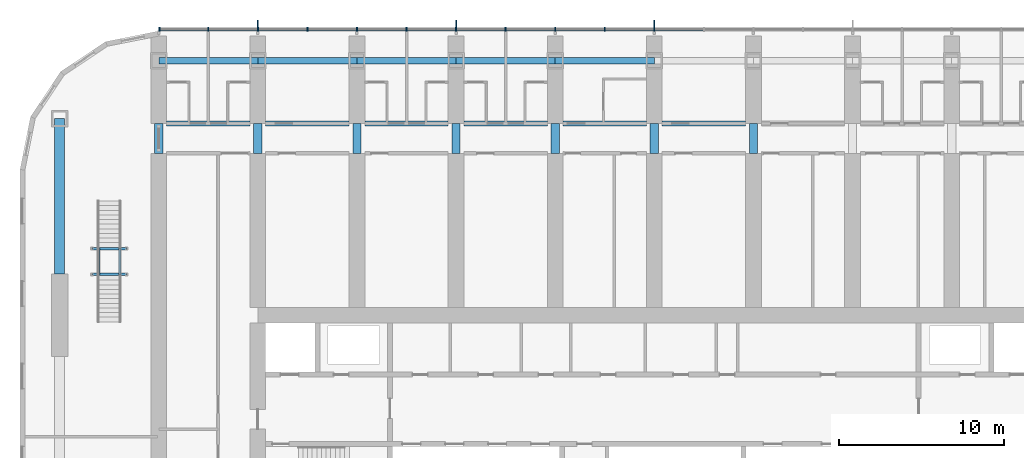
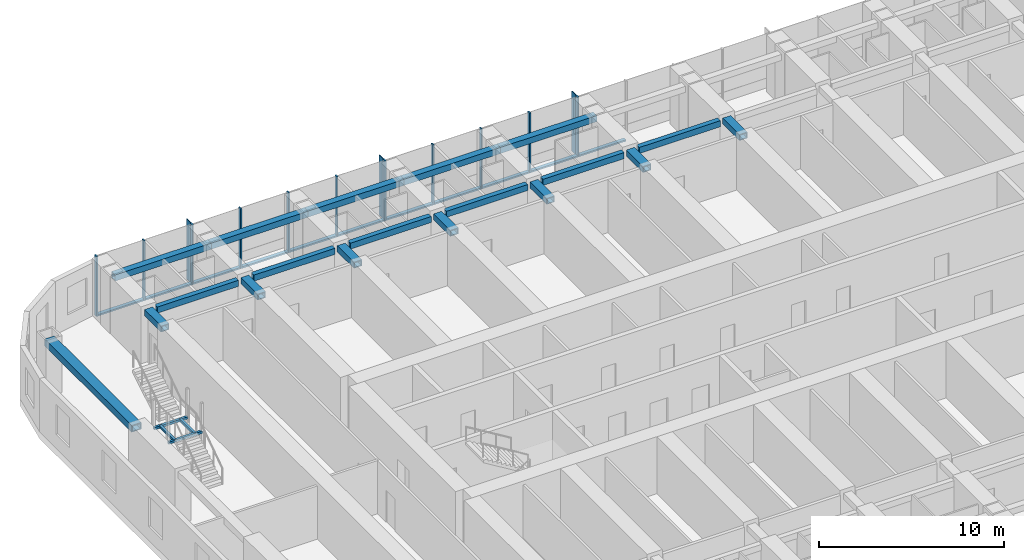
# One storey, part 6 of 25: 25 members, 23 beams, 1 element without a shape of its own.
"""IFC4 building model written with IfcOpenShell, lengths in metres."""

import ifcopenshell
import ifcopenshell.guid

model = None  # the IFC model being written
_history = None  # IfcOwnerHistory: only IFC2X3 demands one
_inside = {}  # id of a spatial element -> (the spatial element, [elements in it])
_under = {}  # id of a project, library or spatial element -> (it, [spatial elements below it])
_declared = {}  # id of a project -> (the project, [libraries it declares])
_typed = {}  # id of a type object -> (the type object, [elements of that type])
_made_of = {}  # id of a material, layer set ... -> (it, [elements and type objects made of it])


def new_model(schema):
    """Start an empty IFC model of exactly this schema.

    Asked for "IFC4X3", IfcOpenShell would pick the latest addendum, in which some entities
    have other attributes; the version numbers below select the first issue.
    IFC2X3 requires an IfcOwnerHistory on every rooted entity: one is made here for all.
    """
    global model, _history
    if schema == "IFC4X3":
        model = ifcopenshell.file(schema_version=(4, 3, 0, 0))
    else:
        model = ifcopenshell.file(schema=schema)
    _inside.clear()
    _under.clear()
    _declared.clear()
    _typed.clear()
    _made_of.clear()
    _history = None
    if model.schema == "IFC2X3":
        org = make("IfcOrganization", Name="unknown")
        user = make(
            "IfcPersonAndOrganization",
            ThePerson=make("IfcPerson", FamilyName="unknown"),
            TheOrganization=org,
        )
        app = make(
            "IfcApplication",
            ApplicationDeveloper=org,
            Version="unknown",
            ApplicationFullName="unknown",
            ApplicationIdentifier="unknown",
        )
        _history = make(
            "IfcOwnerHistory",
            OwningUser=user,
            OwningApplication=app,
            ChangeAction="ADDED",
            CreationDate=0,
        )
    return model


def make(cls, **values):
    """One entity of the class cls with the attributes given. An attribute that is None is left unset."""
    return model.create_entity(
        cls, **{name: value for name, value in values.items() if value is not None}
    )


def rooted(cls, **values):
    """An entity with a GlobalId (a new one), such as an element, a storey or a relation."""
    return make(cls, GlobalId=ifcopenshell.guid.new(), OwnerHistory=_history, **values)


def si_unit(unit_type, name, prefix=None):
    """IfcSIUnit, for example si_unit("LENGTHUNIT", "METRE", prefix="MILLI")."""
    return make("IfcSIUnit", UnitType=unit_type, Prefix=prefix, Name=name)


def assignment(units):
    """IfcUnitAssignment: the units of a project."""
    return None if units is None else make("IfcUnitAssignment", Units=units)


def point(xyz):
    """IfcCartesianPoint."""
    return None if xyz is None else make("IfcCartesianPoint", Coordinates=xyz)


def direction(xyz):
    """IfcDirection."""
    return None if xyz is None else make("IfcDirection", DirectionRatios=xyz)


def frame(location, z_axis=None, x_axis=None):
    """IfcAxis2Placement3D, a coordinate frame: its origin and axes. An axis left out is left unset."""
    return make(
        "IfcAxis2Placement3D",
        Location=point(location),
        Axis=direction(z_axis),
        RefDirection=direction(x_axis),
    )


def frame_2d(location, x_axis=None):
    """IfcAxis2Placement2D, a coordinate frame in the plane: its origin and x axis."""
    return make(
        "IfcAxis2Placement2D", Location=point(location), RefDirection=direction(x_axis)
    )


def origin():
    """The frame at (0, 0, 0) with its axes left unset."""
    return frame((0.0, 0.0, 0.0))


def origin_2d():
    """The frame at (0, 0) in the plane with its x axis left unset."""
    return frame_2d((0.0, 0.0))


def place(relative_to, where):
    """IfcLocalPlacement: puts the frame where relative to a parent placement (None: the world)."""
    return make(
        "IfcLocalPlacement", PlacementRelTo=relative_to, RelativePlacement=where
    )


def context(
    kind, dimensions, precision=None, world=None, true_north=None, identifier=None
):
    """IfcGeometricRepresentationContext, for example the 3D "Model" context."""
    return make(
        "IfcGeometricRepresentationContext",
        ContextIdentifier=identifier,
        ContextType=kind,
        CoordinateSpaceDimension=dimensions,
        Precision=precision,
        WorldCoordinateSystem=world,
        TrueNorth=true_north,
    )


def subcontext(parent, identifier, kind, view, scale=None):
    """IfcGeometricRepresentationSubContext, for example "Body" below "Model"."""
    return make(
        "IfcGeometricRepresentationSubContext",
        ContextIdentifier=identifier,
        ContextType=kind,
        ParentContext=parent,
        TargetScale=scale,
        TargetView=view,
    )


def project(units=None, contexts=None):
    """IfcProject with its units and contexts."""
    return rooted(
        "IfcProject",
        Name="project",
        RepresentationContexts=contexts,
        UnitsInContext=assignment(units),
    )


def spatial(cls, under=None, at=None, **own):
    """A site, building, storey or space (cls), placed at a placement, below another one or the project."""
    s = rooted(cls, ObjectPlacement=at, **own)
    if under is not None:
        _under.setdefault(under.id(), (under, []))[1].append(s)
    return s


def profile(cls, at=None, kind="AREA", **sizes):
    """A parametric profile (cls). Its sizes go by their IFC names, for example OverallWidth=200.0."""
    return make(cls, ProfileType=kind, Position=at, **sizes)


def rectangle(**sizes):
    """IfcRectangleProfileDef."""
    return profile("IfcRectangleProfileDef", **sizes)


def hollow_rectangle(**sizes):
    """IfcRectangleHollowProfileDef."""
    return profile("IfcRectangleHollowProfileDef", **sizes)


def extrude(swept, where, along, depth):
    """IfcExtrudedAreaSolid: the profile swept, set in the frame where, extruded along a direction by depth."""
    return make(
        "IfcExtrudedAreaSolid",
        SweptArea=swept,
        Position=where,
        ExtrudedDirection=direction(along),
        Depth=depth,
    )


def shape(context_of_items, identifier, shape_type, items):
    """IfcShapeRepresentation: the items that make up one representation, for example the "Body"."""
    return make(
        "IfcShapeRepresentation",
        ContextOfItems=context_of_items,
        RepresentationIdentifier=identifier,
        RepresentationType=shape_type,
        Items=items,
    )


def material(Name=None, Category=None):
    """IfcMaterial."""
    return make("IfcMaterial", Name=Name, Category=Category)


def material_profile(
    of_material, cross_section, Name=None, Category=None, Priority=None
):
    """IfcMaterialProfile: a cross section and its material."""
    return make(
        "IfcMaterialProfile",
        Name=Name,
        Material=of_material,
        Profile=cross_section,
        Priority=Priority,
        Category=Category,
    )


def profile_set(profiles, Name=None, composite=None):
    """IfcMaterialProfileSet."""
    return make(
        "IfcMaterialProfileSet",
        Name=Name,
        MaterialProfiles=profiles,
        CompositeProfile=composite,
    )


def made_of(thing, what):
    """Note that an element or type object is made of a material, layer set ...; save() writes the relation."""
    if what is not None:
        _made_of.setdefault(what.id(), (what, []))[1].append(thing)
    return thing


def type_object(cls, material=None, **own):
    """A type object (cls), such as IfcWallType, which elements share."""
    return made_of(rooted(cls, **own), material)


def element(
    cls,
    number,
    at=None,
    inside=None,
    cuts=None,
    type_object=None,
    material=None,
    context=None,
    identifier="Body",
    shape_type=None,
    held_by="IfcProductDefinitionShape",
    body=None,
    shapes=None,
    **own,
):
    """One element of the class cls, such as IfcWall. Its Tag is "e" and its number.

    at: its placement. inside: the storey or other place that contains it. cuts: it is an
    opening in that element (IfcRelVoidsElement). A single representation is given by context,
    identifier, shape_type and body (its items); several are given by shapes. held_by: the class
    of the entity that holds the representations. save() writes the other relations.
    """
    e = rooted(cls, Tag="e%d" % number, ObjectPlacement=at, **own)
    if body is not None:
        shapes = [shape(context, identifier, shape_type, body)]
    if shapes is not None:
        e.Representation = make(held_by, Representations=shapes)
    if inside is not None:
        _inside.setdefault(inside.id(), (inside, []))[1].append(e)
    if cuts is not None:
        rooted(
            "IfcRelVoidsElement", RelatingBuildingElement=cuts, RelatedOpeningElement=e
        )
    if type_object is not None:
        _typed.setdefault(type_object.id(), (type_object, []))[1].append(e)
    return made_of(e, material)


def aggregate(whole, parts):
    """IfcRelAggregates: a whole, such as a stair, and the parts it consists of."""
    return rooted("IfcRelAggregates", RelatingObject=whole, RelatedObjects=parts)


def save(model, path):
    """Write the relations noted so far, then the file.

    IfcRelAggregates (storeys below a building ...), IfcRelContainedInSpatialStructure (elements
    in a storey), IfcRelDefinesByType, IfcRelAssociatesMaterial and IfcRelDeclares: one each for
    every whole, place, type object, material and project.
    """
    for whole, parts in _under.values():
        aggregate(whole, parts)
    for where, things in _inside.values():
        rooted(
            "IfcRelContainedInSpatialStructure",
            RelatedElements=things,
            RelatingStructure=where,
        )
    for kind, things in _typed.values():
        rooted("IfcRelDefinesByType", RelatedObjects=things, RelatingType=kind)
    for what, things in _made_of.values():
        rooted("IfcRelAssociatesMaterial", RelatedObjects=things, RelatingMaterial=what)
    for by, libraries in _declared.values():
        rooted("IfcRelDeclares", RelatingContext=by, RelatedDefinitions=libraries)
    model.write(path)


model = new_model("IFC4")

# Units and contexts
model_context = context("Model", 3, precision=1e-05, world=origin(), true_north=direction((0.0, 1.0)))
body_context = subcontext(model_context, "Body", "Model", "MODEL_VIEW")
ifc_project = project(units=[si_unit("LENGTHUNIT", "METRE"), si_unit("AREAUNIT", "SQUARE_METRE"), si_unit("VOLUMEUNIT", "CUBIC_METRE"), si_unit("PLANEANGLEUNIT", "RADIAN"), si_unit("MASSUNIT", "GRAM", prefix="KILO")], contexts=[model_context])

# Site, building, storey
site_placement = place(None, origin())
site = spatial("IfcSite", under=ifc_project, at=site_placement, CompositionType="ELEMENT")
building_placement = place(site_placement, origin())
building = spatial("IfcBuilding", under=site, at=building_placement, Name="Orbita Commons", CompositionType="ELEMENT")
storey_placement = place(building_placement, frame((0.0, 0.0, 84.39990234375)))
storey = spatial("IfcBuildingStorey", under=building, at=storey_placement, Name="L20", CompositionType="ELEMENT", Elevation=84.39990234375)

# Curtain wall, members
ifc_material_1 = material(Name="Anodised aluminium frame, pale silver", Category="aluminium")
curtain_wall_type = type_object("IfcCurtainWallType", Name="Unitised curtain wall CW-T, vision and spandrel", PredefinedType="NOTDEFINED", material=ifc_material_1)
curtain_wall_placement = place(storey_placement, origin())
curtain_wall = element("IfcCurtainWall", 1, at=curtain_wall_placement, inside=storey, type_object=curtain_wall_type, Name="Curtain wall north L20", PredefinedType="NOTDEFINED")
ifc_material_2 = material(Name="Anodised aluminium, pale silver", Category="aluminium")
ifc_material_profile_1 = material_profile(ifc_material_2, rectangle(XDim=0.080078125, YDim=0.219970703125, at=origin_2d()), Name="AL 80x220")
ifc_profile_set_1 = profile_set([ifc_material_profile_1], Name="Anodised aluminium, pale silver")
member_type_1 = type_object("IfcMemberType", Name="Curtain wall mullion 80x220", PredefinedType="MULLION", material=ifc_profile_set_1)
member_1_placement = place(storey_placement, frame((42.0, 55.510009765625, -0.449951171875), z_axis=(0.0, 0.0, 1.0), x_axis=(-1.0, 0.0, 0.0)))
member_1 = element("IfcMember", 2, at=member_1_placement, type_object=member_type_1, Name="Mullion 9 CW-L20-N", PredefinedType="MULLION", context=body_context, shape_type="SweptSolid", body=[
    extrude(rectangle(XDim=0.080078125, YDim=0.219970703125, at=origin_2d()), origin(), (0.0, 0.0, 1.0), 3.949951171875),
])
member_2_placement = place(storey_placement, frame((39.0, 55.510009765625, -0.449951171875), z_axis=(0.0, 0.0, 1.0), x_axis=(-1.0, 0.0, 0.0)))
member_2 = element("IfcMember", 3, at=member_2_placement, type_object=member_type_1, Name="Mullion 10 CW-L20-N", PredefinedType="MULLION", context=body_context, shape_type="SweptSolid", body=[
    extrude(rectangle(XDim=0.080078125, YDim=0.219970703125, at=origin_2d()), origin(), (0.0, 0.0, 1.0), 3.949951171875),
])
member_3_placement = place(storey_placement, frame((36.0, 55.510009765625, -0.449951171875), z_axis=(0.0, 0.0, 1.0), x_axis=(-1.0, 0.0, 0.0)))
member_3 = element("IfcMember", 4, at=member_3_placement, type_object=member_type_1, Name="Mullion 11 CW-L20-N", PredefinedType="MULLION", context=body_context, shape_type="SweptSolid", body=[
    extrude(rectangle(XDim=0.080078125, YDim=0.219970703125, at=origin_2d()), origin(), (0.0, 0.0, 1.0), 3.949951171875),
])
member_4_placement = place(storey_placement, frame((33.0, 55.510009765625, -0.449951171875), z_axis=(0.0, 0.0, 1.0), x_axis=(-1.0, 0.0, 0.0)))
member_4 = element("IfcMember", 5, at=member_4_placement, type_object=member_type_1, Name="Mullion 12 CW-L20-N", PredefinedType="MULLION", context=body_context, shape_type="SweptSolid", body=[
    extrude(rectangle(XDim=0.080078125, YDim=0.219970703125, at=origin_2d()), origin(), (0.0, 0.0, 1.0), 3.949951171875),
])
member_5_placement = place(storey_placement, frame((30.0, 55.510009765625, -0.449951171875), z_axis=(0.0, 0.0, 1.0), x_axis=(-1.0, 0.0, 0.0)))
member_5 = element("IfcMember", 6, at=member_5_placement, type_object=member_type_1, Name="Mullion 13 CW-L20-N", PredefinedType="MULLION", context=body_context, shape_type="SweptSolid", body=[
    extrude(rectangle(XDim=0.080078125, YDim=0.219970703125, at=origin_2d()), origin(), (0.0, 0.0, 1.0), 3.949951171875),
])
member_6_placement = place(storey_placement, frame((27.0, 55.510009765625, -0.449951171875), z_axis=(0.0, 0.0, 1.0), x_axis=(-1.0, 0.0, 0.0)))
member_6 = element("IfcMember", 7, at=member_6_placement, type_object=member_type_1, Name="Mullion 14 CW-L20-N", PredefinedType="MULLION", context=body_context, shape_type="SweptSolid", body=[
    extrude(rectangle(XDim=0.080078125, YDim=0.219970703125, at=origin_2d()), origin(), (0.0, 0.0, 1.0), 3.949951171875),
])
member_7_placement = place(storey_placement, frame((24.0, 55.510009765625, -0.449951171875), z_axis=(0.0, 0.0, 1.0), x_axis=(-1.0, 0.0, 0.0)))
member_7 = element("IfcMember", 8, at=member_7_placement, type_object=member_type_1, Name="Mullion 15 CW-L20-N", PredefinedType="MULLION", context=body_context, shape_type="SweptSolid", body=[
    extrude(rectangle(XDim=0.080078125, YDim=0.219970703125, at=origin_2d()), origin(), (0.0, 0.0, 1.0), 3.949951171875),
])
member_8_placement = place(storey_placement, frame((21.0, 55.510009765625, -0.449951171875), z_axis=(0.0, 0.0, 1.0), x_axis=(-1.0, 0.0, 0.0)))
member_8 = element("IfcMember", 9, at=member_8_placement, type_object=member_type_1, Name="Mullion 16 CW-L20-N", PredefinedType="MULLION", context=body_context, shape_type="SweptSolid", body=[
    extrude(rectangle(XDim=0.080078125, YDim=0.219970703125, at=origin_2d()), origin(), (0.0, 0.0, 1.0), 3.949951171875),
])
member_9_placement = place(storey_placement, frame((18.0, 55.510009765625, -0.449951171875), z_axis=(0.0, 0.0, 1.0), x_axis=(-1.0, 0.0, 0.0)))
member_9 = element("IfcMember", 10, at=member_9_placement, type_object=member_type_1, Name="Mullion 17 CW-L20-N", PredefinedType="MULLION", context=body_context, shape_type="SweptSolid", body=[
    extrude(rectangle(XDim=0.080078125, YDim=0.219970703125, at=origin_2d()), origin(), (0.0, 0.0, 1.0), 3.949951171875),
])
member_10_placement = place(storey_placement, frame((15.0, 55.510009765625, -0.449951171875), z_axis=(0.0, 0.0, 1.0), x_axis=(-1.0, 0.0, 0.0)))
member_10 = element("IfcMember", 11, at=member_10_placement, type_object=member_type_1, Name="Mullion 18 CW-L20-N", PredefinedType="MULLION", context=body_context, shape_type="SweptSolid", body=[
    extrude(rectangle(XDim=0.080078125, YDim=0.219970703125, at=origin_2d()), origin(), (0.0, 0.0, 1.0), 3.949951171875),
])
member_11_placement = place(storey_placement, frame((12.0400390625, 55.510009765625, -0.449951171875), z_axis=(0.0, 0.0, 1.0), x_axis=(-1.0, 0.0, 0.0)))
member_11 = element("IfcMember", 12, at=member_11_placement, type_object=member_type_1, Name="Mullion 19 CW-L20-N", PredefinedType="MULLION", context=body_context, shape_type="SweptSolid", body=[
    extrude(rectangle(XDim=0.080078125, YDim=0.219970703125, at=origin_2d()), origin(), (0.0, 0.0, 1.0), 3.949951171875),
])
ifc_material_3 = material(Name="Anodised aluminium, pale silver", Category="aluminium")
ifc_material_profile_2 = material_profile(ifc_material_3, rectangle(XDim=0.219970703125, YDim=0.10009765625, at=origin_2d()), Name="AL 220x100")
ifc_profile_set_2 = profile_set([ifc_material_profile_2], Name="Anodised aluminium, pale silver")
member_type_2 = type_object("IfcMemberType", Name="Curtain wall stack transom 220x100", PredefinedType="USERDEFINED", material=ifc_profile_set_2)
member_12_placement = place(storey_placement, frame((44.9599609375, 55.510009765625, -0.39990234375), z_axis=(-1.0, 0.0, 0.0), x_axis=(0.0, -1.0, 0.0)))
member_12 = element("IfcMember", 13, at=member_12_placement, type_object=member_type_2, Name="Transom 8.1 CW-L20-N", ObjectType="TRANSOM", PredefinedType="USERDEFINED", context=body_context, shape_type="SweptSolid", body=[
    extrude(rectangle(XDim=0.219970703125, YDim=0.10009765625, at=origin_2d()), origin(), (0.0, 0.0, 1.0), 2.919921875),
])
member_13_placement = place(storey_placement, frame((41.9599609375, 55.510009765625, -0.39990234375), z_axis=(-1.0, 0.0, 0.0), x_axis=(0.0, -1.0, 0.0)))
member_13 = element("IfcMember", 14, at=member_13_placement, type_object=member_type_2, Name="Transom 9.1 CW-L20-N", ObjectType="TRANSOM", PredefinedType="USERDEFINED", context=body_context, shape_type="SweptSolid", body=[
    extrude(rectangle(XDim=0.219970703125, YDim=0.10009765625, at=origin_2d()), origin(), (0.0, 0.0, 1.0), 2.919921875),
])
member_14_placement = place(storey_placement, frame((38.9599609375, 55.510009765625, -0.39990234375), z_axis=(-1.0, 0.0, 0.0), x_axis=(0.0, -1.0, 0.0)))
member_14 = element("IfcMember", 15, at=member_14_placement, type_object=member_type_2, Name="Transom 10.1 CW-L20-N", ObjectType="TRANSOM", PredefinedType="USERDEFINED", context=body_context, shape_type="SweptSolid", body=[
    extrude(rectangle(XDim=0.219970703125, YDim=0.10009765625, at=origin_2d()), origin(), (0.0, 0.0, 1.0), 2.919921875),
])
member_15_placement = place(storey_placement, frame((35.9599609375, 55.510009765625, -0.39990234375), z_axis=(-1.0, 0.0, 0.0), x_axis=(0.0, -1.0, 0.0)))
member_15 = element("IfcMember", 16, at=member_15_placement, type_object=member_type_2, Name="Transom 11.1 CW-L20-N", ObjectType="TRANSOM", PredefinedType="USERDEFINED", context=body_context, shape_type="SweptSolid", body=[
    extrude(rectangle(XDim=0.219970703125, YDim=0.10009765625, at=origin_2d()), origin(), (0.0, 0.0, 1.0), 2.919921875),
])
member_16_placement = place(storey_placement, frame((32.9599609375, 55.510009765625, -0.39990234375), z_axis=(-1.0, 0.0, 0.0), x_axis=(0.0, -1.0, 0.0)))
member_16 = element("IfcMember", 17, at=member_16_placement, type_object=member_type_2, Name="Transom 12.1 CW-L20-N", ObjectType="TRANSOM", PredefinedType="USERDEFINED", context=body_context, shape_type="SweptSolid", body=[
    extrude(rectangle(XDim=0.219970703125, YDim=0.10009765625, at=origin_2d()), origin(), (0.0, 0.0, 1.0), 2.919921875),
])
member_17_placement = place(storey_placement, frame((29.9599609375, 55.510009765625, -0.39990234375), z_axis=(-1.0, 0.0, 0.0), x_axis=(0.0, -1.0, 0.0)))
member_17 = element("IfcMember", 18, at=member_17_placement, type_object=member_type_2, Name="Transom 13.1 CW-L20-N", ObjectType="TRANSOM", PredefinedType="USERDEFINED", context=body_context, shape_type="SweptSolid", body=[
    extrude(rectangle(XDim=0.219970703125, YDim=0.10009765625, at=origin_2d()), origin(), (0.0, 0.0, 1.0), 2.919921875),
])
member_18_placement = place(storey_placement, frame((26.9599609375, 55.510009765625, -0.39990234375), z_axis=(-1.0, 0.0, 0.0), x_axis=(0.0, -1.0, 0.0)))
member_18 = element("IfcMember", 19, at=member_18_placement, type_object=member_type_2, Name="Transom 14.1 CW-L20-N", ObjectType="TRANSOM", PredefinedType="USERDEFINED", context=body_context, shape_type="SweptSolid", body=[
    extrude(rectangle(XDim=0.219970703125, YDim=0.10009765625, at=origin_2d()), origin(), (0.0, 0.0, 1.0), 2.919921875),
])
member_19_placement = place(storey_placement, frame((23.9599609375, 55.510009765625, -0.39990234375), z_axis=(-1.0, 0.0, 0.0), x_axis=(0.0, -1.0, 0.0)))
member_19 = element("IfcMember", 20, at=member_19_placement, type_object=member_type_2, Name="Transom 15.1 CW-L20-N", ObjectType="TRANSOM", PredefinedType="USERDEFINED", context=body_context, shape_type="SweptSolid", body=[
    extrude(rectangle(XDim=0.219970703125, YDim=0.10009765625, at=origin_2d()), origin(), (0.0, 0.0, 1.0), 2.919921875),
])
member_20_placement = place(storey_placement, frame((20.9599609375, 55.510009765625, -0.39990234375), z_axis=(-1.0, 0.0, 0.0), x_axis=(0.0, -1.0, 0.0)))
member_20 = element("IfcMember", 21, at=member_20_placement, type_object=member_type_2, Name="Transom 16.1 CW-L20-N", ObjectType="TRANSOM", PredefinedType="USERDEFINED", context=body_context, shape_type="SweptSolid", body=[
    extrude(rectangle(XDim=0.219970703125, YDim=0.10009765625, at=origin_2d()), origin(), (0.0, 0.0, 1.0), 2.919921875),
])
member_21_placement = place(storey_placement, frame((17.9599609375, 55.510009765625, -0.39990234375), z_axis=(-1.0, 0.0, 0.0), x_axis=(0.0, -1.0, 0.0)))
member_21 = element("IfcMember", 22, at=member_21_placement, type_object=member_type_2, Name="Transom 17.1 CW-L20-N", ObjectType="TRANSOM", PredefinedType="USERDEFINED", context=body_context, shape_type="SweptSolid", body=[
    extrude(rectangle(XDim=0.219970703125, YDim=0.10009765625, at=origin_2d()), origin(), (0.0, 0.0, 1.0), 2.919921875),
])
member_22_placement = place(storey_placement, frame((14.9599609375, 55.510009765625, -0.39990234375), z_axis=(-1.0, 0.0, 0.0), x_axis=(0.0, -1.0, 0.0)))
member_22 = element("IfcMember", 23, at=member_22_placement, type_object=member_type_2, Name="Transom 18.1 CW-L20-N", ObjectType="TRANSOM", PredefinedType="USERDEFINED", context=body_context, shape_type="SweptSolid", body=[
    extrude(rectangle(XDim=0.219970703125, YDim=0.10009765625, at=origin_2d()), origin(), (0.0, 0.0, 1.0), 2.8798828125),
])

# Beams
ifc_material_4 = material(Name="Steel ASTM A992", Category="steel")
ifc_material_profile_3 = material_profile(ifc_material_4, hollow_rectangle(XDim=0.14990234375, YDim=0.14990234375, WallThickness=0.008056640625, at=origin_2d()), Name="SHS 150x150x8")
ifc_profile_set_3 = profile_set([ifc_material_profile_3], Name="Steel ASTM A992")
beam_type_1 = type_object("IfcBeamType", Name="Landing frame beam SHS 150x150x8", PredefinedType="BEAM", material=ifc_profile_set_3)
for number, where, z_axis, x_axis, name in (
    (24, (7.949951171875, 40.675048828125, 1.60009765625), (1.0, 0.0, 0.0), (0.0, 1.0, 0.0), "Neighbourhood stair L20 to L21 landing frame beam 1"),
    (25, (7.949951171875, 42.235107421875, 1.60009765625), (1.0, 0.0, 0.0), (0.0, 1.0, 0.0), "Neighbourhood stair L20 to L21 landing frame beam 2"),
):
    element("IfcBeam", number, at=place(storey_placement, frame(where, z_axis=z_axis, x_axis=x_axis)), inside=storey, type_object=beam_type_1, Name=name, PredefinedType="BEAM", context=body_context, shape_type="SweptSolid", body=[
        extrude(hollow_rectangle(XDim=0.14990234375, YDim=0.14990234375, WallThickness=0.008056640625, at=origin_2d()), origin(), (0.0, 0.0, 1.0), 2.10009765625),
    ])
for number, where, z_axis, x_axis, name in (
    (26, (8.375, 40.675048828125, 1.60009765625), (0.0, 1.0, 0.0), (-1.0, 0.0, 0.0), "Neighbourhood stair L20 to L21 landing frame beam 3"),
    (27, (9.625, 40.675048828125, 1.60009765625), (0.0, 1.0, 0.0), (-1.0, 0.0, 0.0), "Neighbourhood stair L20 to L21 landing frame beam 4"),
):
    element("IfcBeam", number, at=place(storey_placement, frame(where, z_axis=z_axis, x_axis=x_axis)), inside=storey, type_object=beam_type_1, Name=name, PredefinedType="BEAM", context=body_context, shape_type="SweptSolid", body=[
        extrude(hollow_rectangle(XDim=0.14990234375, YDim=0.14990234375, WallThickness=0.008056640625, at=origin_2d()), origin(), (0.0, 0.0, 1.0), 1.56005859375),
    ])
ifc_material_5 = material(Name="Steel ASTM A572 Gr 50 welded plate", Category="steel")
ifc_material_profile_4 = material_profile(ifc_material_5, hollow_rectangle(XDim=0.300048828125, YDim=0.39990234375, WallThickness=0.0400390625, at=origin_2d()), Name="BOX 400x300x40")
ifc_profile_set_4 = profile_set([ifc_material_profile_4], Name="Steel ASTM A572 Gr 50 welded plate")
beam_type_2 = type_object("IfcBeamType", Name="Steel corridor link BOX 400x300x40", PredefinedType="BEAM", material=ifc_profile_set_4)
for number, where, z_axis, x_axis, name in (
    (28, (12.47509765625, 49.800048828125, 3.300048828125), (1.0, 0.0, 0.0), (0.0, 1.0, 0.0), "Corridor beam NB 3-4 L20"),
    (29, (18.47509765625, 49.800048828125, 3.300048828125), (1.0, 0.0, 0.0), (0.0, 1.0, 0.0), "Corridor beam NB 4-5 L20"),
    (30, (24.47509765625, 49.800048828125, 3.300048828125), (1.0, 0.0, 0.0), (0.0, 1.0, 0.0), "Corridor beam NB 5-6 L20"),
    (31, (30.47509765625, 49.800048828125, 3.300048828125), (1.0, 0.0, 0.0), (0.0, 1.0, 0.0), "Corridor beam NB 6-7 L20"),
    (32, (36.47509765625, 49.800048828125, 3.300048828125), (1.0, 0.0, 0.0), (0.0, 1.0, 0.0), "Corridor beam NB 7-8 L20"),
    (33, (42.47509765625, 49.800048828125, 3.300048828125), (1.0, 0.0, 0.0), (0.0, 1.0, 0.0), "Corridor beam NB 8-9 L20"),
):
    element("IfcBeam", number, at=place(storey_placement, frame(where, z_axis=z_axis, x_axis=x_axis)), inside=storey, type_object=beam_type_2, Name=name, PredefinedType="BEAM", context=body_context, shape_type="SweptSolid", body=[
        extrude(hollow_rectangle(XDim=0.300048828125, YDim=0.39990234375, WallThickness=0.0400390625, at=origin_2d()), origin(), (0.0, 0.0, 1.0), 5.0498046875),
    ])
ifc_material_6 = material(Name="Steel ASTM A572 Gr 50 welded plate", Category="steel")
ifc_material_profile_5 = material_profile(ifc_material_6, hollow_rectangle(XDim=0.5, YDim=0.39990234375, WallThickness=0.050048828125, at=origin_2d()), Name="BOX 400x500x50")
ifc_profile_set_5 = profile_set([ifc_material_profile_5], Name="Steel ASTM A572 Gr 50 welded plate")
beam_type_3 = type_object("IfcBeamType", Name="Steel coupling link BOX 400x500x50", PredefinedType="LINTEL", material=ifc_profile_set_5)
for number, where, z_axis, x_axis, name in (
    (34, (12.0, 48.0, 3.300048828125), (0.0, 1.0, 0.0), (-1.0, 0.0, 0.0), "Coupling beam 3 north L20"),
    (35, (18.0, 48.0, 3.300048828125), (0.0, 1.0, 0.0), (-1.0, 0.0, 0.0), "Coupling beam 4 north L20"),
    (36, (24.0, 48.0, 3.300048828125), (0.0, 1.0, 0.0), (-1.0, 0.0, 0.0), "Coupling beam 5 north L20"),
    (37, (30.0, 48.0, 3.300048828125), (0.0, 1.0, 0.0), (-1.0, 0.0, 0.0), "Coupling beam 6 north L20"),
    (38, (36.0, 48.0, 3.300048828125), (0.0, 1.0, 0.0), (-1.0, 0.0, 0.0), "Coupling beam 7 north L20"),
    (39, (42.0, 48.0, 3.300048828125), (0.0, 1.0, 0.0), (-1.0, 0.0, 0.0), "Coupling beam 8 north L20"),
    (40, (48.0, 48.0, 3.300048828125), (0.0, 1.0, 0.0), (-1.0, 0.0, 0.0), "Coupling beam 9 north L20"),
):
    element("IfcBeam", number, at=place(storey_placement, frame(where, z_axis=z_axis, x_axis=x_axis)), inside=storey, type_object=beam_type_3, Name=name, PredefinedType="LINTEL", context=body_context, shape_type="SweptSolid", body=[
        extrude(hollow_rectangle(XDim=0.5, YDim=0.39990234375, WallThickness=0.050048828125, at=origin_2d()), origin(), (0.0, 0.0, 1.0), 1.800048828125),
    ])
ifc_material_7 = material(Name="Steel ASTM A572 Gr 50 welded plate", Category="steel")
ifc_material_profile_6 = material_profile(ifc_material_7, hollow_rectangle(XDim=0.60009765625, YDim=0.449951171875, WallThickness=0.06005859375, at=origin_2d()), Name="BOX 450x600x60")
ifc_profile_set_6 = profile_set([ifc_material_profile_6], Name="Steel ASTM A572 Gr 50 welded plate")
beam_type_4 = type_object("IfcBeamType", Name="Steel end frame link BOX 450x600x60", PredefinedType="BEAM", material=ifc_profile_set_6)
beam_placement = place(storey_placement, frame((6.0, 40.699951171875, 3.275146484375), z_axis=(0.0, 1.0, 0.0), x_axis=(-1.0, 0.0, 0.0)))
element("IfcBeam", 41, at=beam_placement, inside=storey, type_object=beam_type_4, Name="End frame beam 2 D-E L20", PredefinedType="BEAM", context=body_context, shape_type="SweptSolid", body=[
    extrude(hollow_rectangle(XDim=0.60009765625, YDim=0.449951171875, WallThickness=0.06005859375, at=origin_2d()), origin(), (0.0, 0.0, 1.0), 9.400146484375),
])
ifc_material_8 = material(Name="Steel ASTM A572 Gr 50 welded plate", Category="steel")
ifc_material_profile_7 = material_profile(ifc_material_8, hollow_rectangle(XDim=0.39990234375, YDim=0.39990234375, WallThickness=0.0400390625, at=origin_2d()), Name="BOX 400x400x40")
ifc_profile_set_7 = profile_set([ifc_material_profile_7], Name="Steel ASTM A572 Gr 50 welded plate")
beam_type_5 = type_object("IfcBeamType", Name="Steel spandrel BOX 400x400x40", PredefinedType="SPANDREL", material=ifc_profile_set_7)
for number, where, z_axis, x_axis, name in (
    (42, (12.0, 53.60009765625, 3.300048828125), (1.0, 0.0, 0.0), (0.0, 1.0, 0.0), "Spandrel beam E 3-4 L20"),
    (43, (18.0, 53.60009765625, 3.300048828125), (1.0, 0.0, 0.0), (0.0, 1.0, 0.0), "Spandrel beam E 4-5 L20"),
    (44, (24.0, 53.60009765625, 3.300048828125), (1.0, 0.0, 0.0), (0.0, 1.0, 0.0), "Spandrel beam E 5-6 L20"),
    (45, (30.0, 53.60009765625, 3.300048828125), (1.0, 0.0, 0.0), (0.0, 1.0, 0.0), "Spandrel beam E 6-7 L20"),
    (46, (36.0, 53.60009765625, 3.300048828125), (1.0, 0.0, 0.0), (0.0, 1.0, 0.0), "Spandrel beam E 7-8 L20"),
):
    element("IfcBeam", number, at=place(storey_placement, frame(where, z_axis=z_axis, x_axis=x_axis)), inside=storey, type_object=beam_type_5, Name=name, PredefinedType="SPANDREL", context=body_context, shape_type="SweptSolid", body=[
        extrude(hollow_rectangle(XDim=0.39990234375, YDim=0.39990234375, WallThickness=0.0400390625, at=origin_2d()), origin(), (0.0, 0.0, 1.0), 6.0),
    ])

# Member
ifc_material_9 = material(Name="Anodised aluminium, pale silver", Category="aluminium")
ifc_material_profile_8 = material_profile(ifc_material_9, rectangle(XDim=0.06005859375, YDim=0.449951171875, at=origin_2d()), Name="FIN 60x450")
ifc_profile_set_8 = profile_set([ifc_material_profile_8], Name="Anodised aluminium, pale silver")
member_type_3 = type_object("IfcMemberType", Name="Vertical fin 60x450 pale aluminium", PredefinedType="USERDEFINED", material=ifc_profile_set_8)
member_23_placement = place(storey_placement, frame((42.0, 55.844970703125, -0.449951171875), z_axis=(0.0, 0.0, 1.0), x_axis=(-1.0, 0.0, 0.0)))
member_23 = element("IfcMember", 47, at=member_23_placement, type_object=member_type_3, Name="Fin 9 CW-L20-N", ObjectType="FIN", PredefinedType="USERDEFINED", context=body_context, shape_type="SweptSolid", body=[
    extrude(rectangle(XDim=0.06005859375, YDim=0.449951171875, at=origin_2d()), origin(), (0.0, 0.0, 1.0), 3.949951171875),
])

member_24_placement = place(storey_placement, frame((30.0, 55.844970703125, -0.449951171875), z_axis=(0.0, 0.0, 1.0), x_axis=(-1.0, 0.0, 0.0)))
member_24 = element("IfcMember", 48, at=member_24_placement, type_object=member_type_3, Name="Fin 13 CW-L20-N", ObjectType="FIN", PredefinedType="USERDEFINED", context=body_context, shape_type="SweptSolid", body=[
    extrude(rectangle(XDim=0.06005859375, YDim=0.449951171875, at=origin_2d()), origin(), (0.0, 0.0, 1.0), 3.949951171875),
])

member_25_placement = place(storey_placement, frame((18.0, 55.844970703125, -0.449951171875), z_axis=(0.0, 0.0, 1.0), x_axis=(-1.0, 0.0, 0.0)))
member_25 = element("IfcMember", 49, at=member_25_placement, type_object=member_type_3, Name="Fin 17 CW-L20-N", ObjectType="FIN", PredefinedType="USERDEFINED", context=body_context, shape_type="SweptSolid", body=[
    extrude(rectangle(XDim=0.06005859375, YDim=0.449951171875, at=origin_2d()), origin(), (0.0, 0.0, 1.0), 3.949951171875),
])

aggregate(curtain_wall, [member_1, member_23, member_2, member_3, member_4, member_5, member_24, member_6, member_7, member_8, member_9, member_25, member_10, member_11, member_12, member_13, member_14, member_15, member_16, member_17, member_18, member_19, member_20, member_21, member_22])

save(model, "model.ifc")
